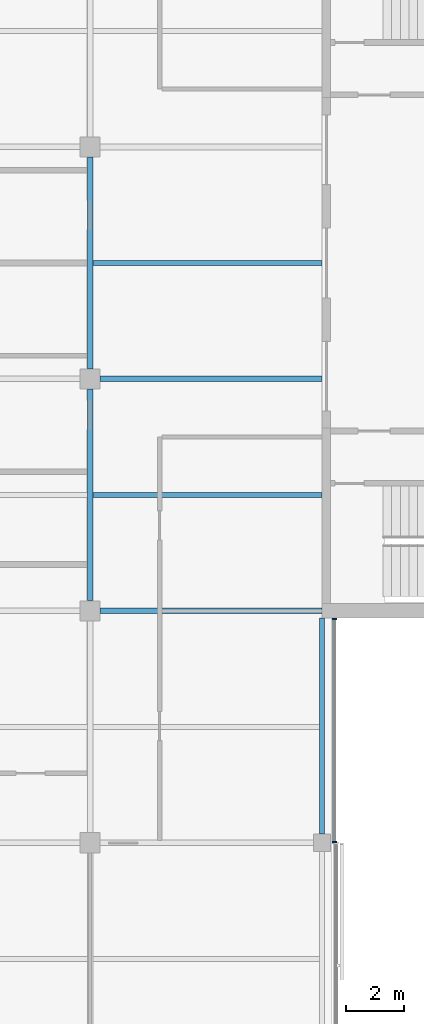
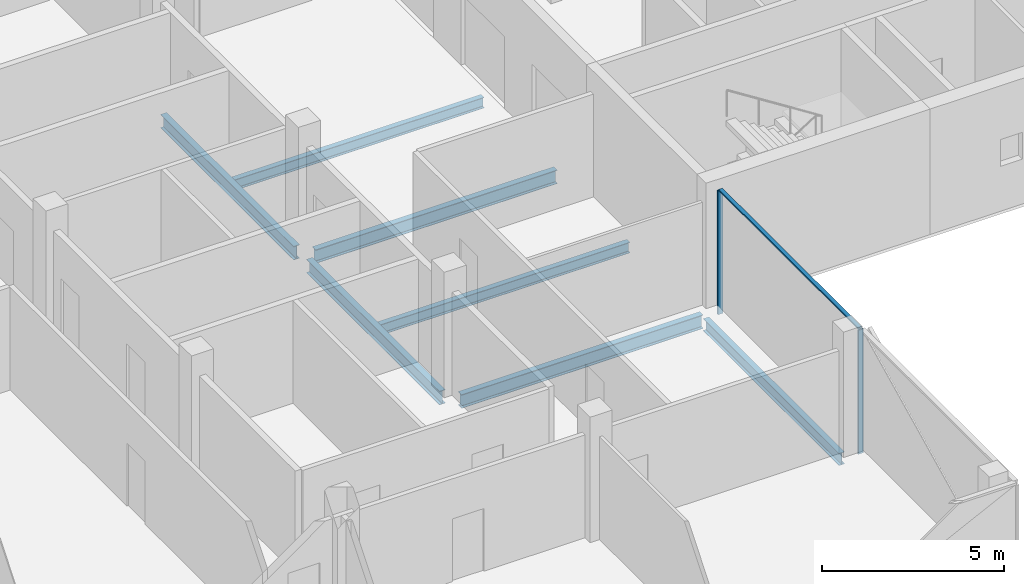
# One storey, part 4 of 16: 7 beams, 3 members, 1 element without a shape of its own.
"""IFC4 building model written with IfcOpenShell, lengths in metres."""

from ifc_helpers import new_model, si_unit, direction, frame, origin, origin_2d, place, context, subcontext, project, spatial, rectangle, i_section, extrude, material, material_profile, profile_set, type_object, element, aggregate, save


model = new_model("IFC4")

# Units and contexts
model_context = context("Model", 3, precision=1e-05, world=origin(), true_north=direction((0.0, 1.0)))
body_context = subcontext(model_context, "Body", "Model", "MODEL_VIEW")
ifc_project = project(units=[si_unit("LENGTHUNIT", "METRE"), si_unit("AREAUNIT", "SQUARE_METRE"), si_unit("VOLUMEUNIT", "CUBIC_METRE"), si_unit("PLANEANGLEUNIT", "RADIAN"), si_unit("MASSUNIT", "GRAM", prefix="KILO")], contexts=[model_context])

# Site, building, storey
site_placement = place(None, origin())
site = spatial("IfcSite", under=ifc_project, at=site_placement, CompositionType="ELEMENT")
building_placement = place(site_placement, origin())
building = spatial("IfcBuilding", under=site, at=building_placement, Name="Crosswind Convention Tower", CompositionType="ELEMENT")
storey_placement = place(building_placement, frame((0.0, 0.0, 253.5)))
storey = spatial("IfcBuildingStorey", under=building, at=storey_placement, Name="L54", CompositionType="ELEMENT", Elevation=253.5)

# Beams
ifc_material_1 = material(Name="Steel S355", Category="steel")
ifc_material_profile_1 = material_profile(ifc_material_1, i_section(OverallWidth=0.177734375, OverallDepth=0.406494140625, WebThickness=0.0078125, FlangeThickness=0.0126953125, FilletRadius=0.01025390625, at=origin_2d()), Name="UB 406x178x60")
ifc_profile_set_1 = profile_set([ifc_material_profile_1], Name="Steel S355")
beam_type_1 = type_object("IfcBeamType", Name="Edge beam UB 406x178x60", PredefinedType="SPANDREL", material=ifc_profile_set_1)
beam_placement = place(storey_placement, frame((137.0, 80.300048828125, -0.503173828125), z_axis=(0.0, 1.0, 0.0), x_axis=(-1.0, 0.0, 0.0)))
element("IfcBeam", 1, at=beam_placement, inside=storey, type_object=beam_type_1, Name="B15 L54 edge beam 12", PredefinedType="SPANDREL", context=body_context, shape_type="SweptSolid", body=[
    extrude(i_section(OverallWidth=0.177734375, OverallDepth=0.406494140625, WebThickness=0.0078125, FlangeThickness=0.0126953125, FilletRadius=0.01025390625, at=origin_2d()), origin(), (0.0, 0.0, 1.0), 7.449951171875),
])
ifc_material_profile_2 = material_profile(ifc_material_1, i_section(OverallWidth=0.18994140625, OverallDepth=0.45361328125, WebThickness=0.008544921875, FlangeThickness=0.0126953125, FilletRadius=0.01025390625, at=origin_2d()), Name="UB 457x191x67")
ifc_profile_set_2 = profile_set([ifc_material_profile_2], Name="Steel S355")
beam_type_2 = type_object("IfcBeamType", Name="Girder UB 457x191x67", PredefinedType="BEAM", material=ifc_profile_set_2)
for number, where, z_axis, x_axis, name in (
    (2, (129.0, 88.35009765625, -0.52685546875), (0.0, 1.0, 0.0), (-1.0, 0.0, 0.0), "B1 L54 girder 18"),
    (3, (129.0, 96.35009765625, -0.52685546875), (0.0, 1.0, 0.0), (-1.0, 0.0, 0.0), "B1 L54 girder 19"),
):
    element("IfcBeam", number, at=place(storey_placement, frame(where, z_axis=z_axis, x_axis=x_axis)), inside=storey, type_object=beam_type_2, Name=name, PredefinedType="BEAM", context=body_context, shape_type="SweptSolid", body=[
        extrude(i_section(OverallWidth=0.18994140625, OverallDepth=0.45361328125, WebThickness=0.008544921875, FlangeThickness=0.0126953125, FilletRadius=0.01025390625, at=origin_2d()), origin(), (0.0, 0.0, 1.0), 7.2998046875),
    ])
ifc_material_profile_3 = material_profile(ifc_material_1, i_section(OverallWidth=0.1904296875, OverallDepth=0.457275390625, WebThickness=0.009033203125, FlangeThickness=0.014404296875, FilletRadius=0.01025390625, at=origin_2d()), Name="UB 457x191x75")
ifc_profile_set_3 = profile_set([ifc_material_profile_3], Name="Steel S355")
beam_type_3 = type_object("IfcBeamType", Name="Girder at core wall UB 457x191x75", PredefinedType="BEAM", material=ifc_profile_set_3)
for number, where, z_axis, x_axis, name in (
    (4, (129.35009765625, 88.0, -0.528564453125), (1.0, 0.0, 0.0), (0.0, 1.0, 0.0), "B22 L54 girder at core wall 5"),
    (5, (129.35009765625, 96.0, -0.528564453125), (1.0, 0.0, 0.0), (0.0, 1.0, 0.0), "B22 L54 girder at core wall 6"),
):
    element("IfcBeam", number, at=place(storey_placement, frame(where, z_axis=z_axis, x_axis=x_axis)), inside=storey, type_object=beam_type_3, Name=name, PredefinedType="BEAM", context=body_context, shape_type="SweptSolid", body=[
        extrude(i_section(OverallWidth=0.1904296875, OverallDepth=0.457275390625, WebThickness=0.009033203125, FlangeThickness=0.014404296875, FilletRadius=0.01025390625, at=origin_2d()), origin(), (0.0, 0.0, 1.0), 7.64990234375),
    ])

# Curtain wall, members
ifc_material_2 = material(Name="Aluminium unitised curtain wall", Category="aluminium")
curtain_wall_type = type_object("IfcCurtainWallType", Name="CORE END SLOT WALL 160", PredefinedType="USERDEFINED", material=ifc_material_2)
curtain_wall_placement = place(storey_placement, origin())
curtain_wall = element("IfcCurtainWall", 6, at=curtain_wall_placement, inside=storey, type_object=curtain_wall_type, Name="CW6 L54 S-E.1-2 slot", ObjectType="UNITISED", PredefinedType="USERDEFINED")
ifc_material_3 = material(Name="Aluminium mullion", Category="aluminium")
ifc_material_profile_4 = material_profile(ifc_material_3, rectangle(XDim=0.159912109375, YDim=0.050048828125, at=origin_2d()), Name="AL 160X50")
ifc_profile_set_4 = profile_set([ifc_material_profile_4], Name="Aluminium mullion")
member_type_1 = type_object("IfcMemberType", Name="MULLION 50X160", PredefinedType="MULLION", material=ifc_profile_set_4)
member_1_placement = place(storey_placement, frame((137.429931640625, 80.02490234375, -0.300048828125), z_axis=(0.0, 0.0, 1.0), x_axis=(1.0, 0.0, 0.0)))
member_1 = element("IfcMember", 7, at=member_1_placement, type_object=member_type_1, Name="CW6 mullion 1", PredefinedType="MULLION", context=body_context, shape_type="SweptSolid", body=[
    extrude(rectangle(XDim=0.159912109375, YDim=0.050048828125, at=origin_2d()), origin(), (0.0, 0.0, 1.0), 4.150146484375),
])
member_2_placement = place(storey_placement, frame((137.429931640625, 87.72509765625, -0.300048828125), z_axis=(0.0, 0.0, 1.0), x_axis=(1.0, 0.0, 0.0)))
member_2 = element("IfcMember", 8, at=member_2_placement, type_object=member_type_1, Name="CW6 mullion 2", PredefinedType="MULLION", context=body_context, shape_type="SweptSolid", body=[
    extrude(rectangle(XDim=0.159912109375, YDim=0.050048828125, at=origin_2d()), origin(), (0.0, 0.0, 1.0), 4.150146484375),
])

# Beams
ifc_material_profile_5 = material_profile(ifc_material_1, i_section(OverallWidth=0.17138671875, OverallDepth=0.355712890625, WebThickness=0.00732421875, FlangeThickness=0.011474609375, FilletRadius=0.01025390625, at=origin_2d()), Name="UB 356x171x51")
ifc_profile_set_5 = profile_set([ifc_material_profile_5], Name="Steel S355")
beam_type_4 = type_object("IfcBeamType", Name="Secondary beam UB 356x171x51", PredefinedType="JOIST", material=ifc_profile_set_5)
for number, where, z_axis, x_axis, name in (
    (9, (129.094970703125, 92.0, -0.477783203125), (1.0, 0.0, 0.0), (0.0, 1.0, 0.0), "B8 L54 secondary beam 17"),
    (10, (129.094970703125, 100.0, -0.477783203125), (1.0, 0.0, 0.0), (0.0, 1.0, 0.0), "B8 L54 secondary beam 18"),
):
    element("IfcBeam", number, at=place(storey_placement, frame(where, z_axis=z_axis, x_axis=x_axis)), inside=storey, type_object=beam_type_4, Name=name, PredefinedType="JOIST", context=body_context, shape_type="SweptSolid", body=[
        extrude(i_section(OverallWidth=0.17138671875, OverallDepth=0.355712890625, WebThickness=0.00732421875, FlangeThickness=0.011474609375, FilletRadius=0.01025390625, at=origin_2d()), origin(), (0.0, 0.0, 1.0), 7.905029296875),
    ])

# Member
ifc_material_4 = material(Name="Aluminium transom", Category="aluminium")
ifc_material_profile_6 = material_profile(ifc_material_4, rectangle(XDim=0.1201171875, YDim=0.050048828125, at=origin_2d()), Name="AL 120X50")
ifc_profile_set_6 = profile_set([ifc_material_profile_6], Name="Aluminium transom")
member_type_2 = type_object("IfcMemberType", Name="TRANSOM 50X120", PredefinedType="USERDEFINED", material=ifc_profile_set_6)
member_3_placement = place(storey_placement, frame((137.429931640625, 80.050048828125, 3.875), z_axis=(0.0, 1.0, 0.0), x_axis=(-1.0, 0.0, 0.0)))
member_3 = element("IfcMember", 11, at=member_3_placement, type_object=member_type_2, Name="CW6 transom", ObjectType="TRANSOM", PredefinedType="USERDEFINED", context=body_context, shape_type="SweptSolid", body=[
    extrude(rectangle(XDim=0.1201171875, YDim=0.050048828125, at=origin_2d()), origin(), (0.0, 0.0, 1.0), 7.64990234375),
])

aggregate(curtain_wall, [member_1, member_2, member_3])

save(model, "model.ifc")
